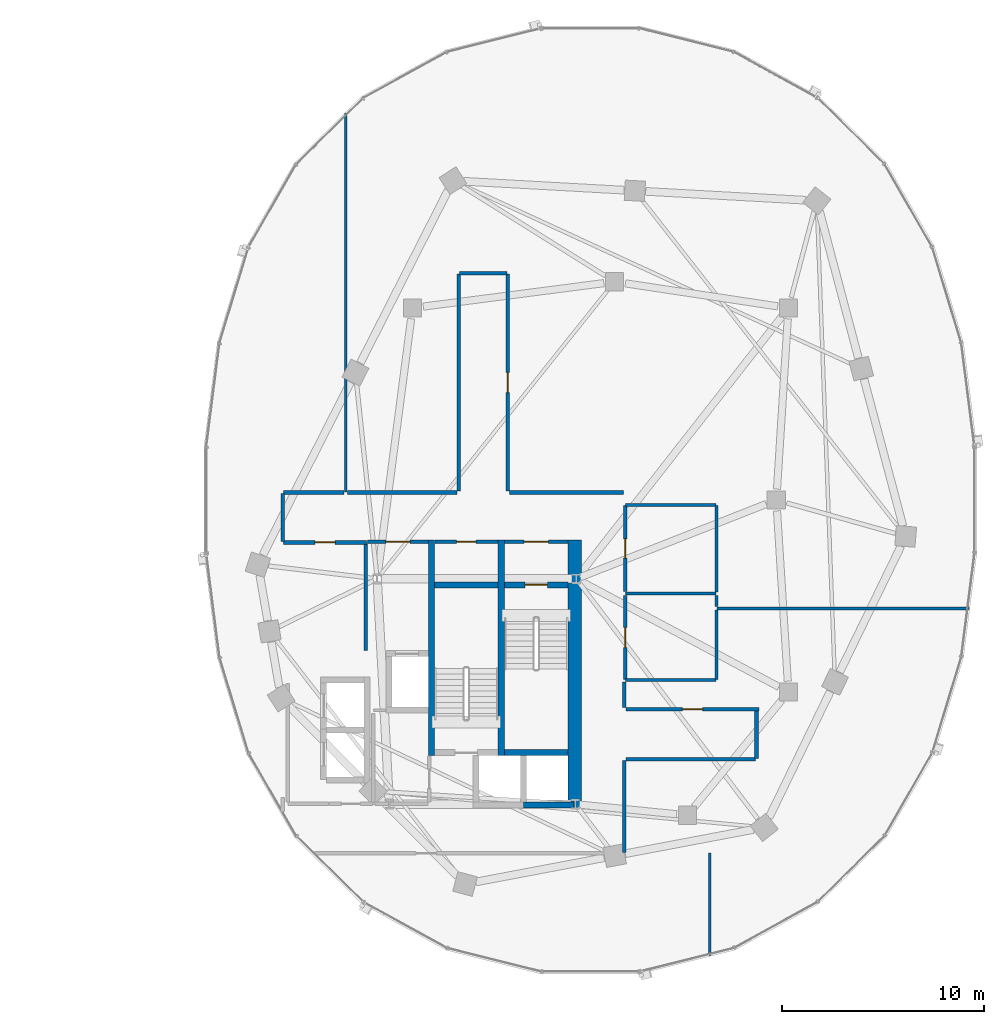
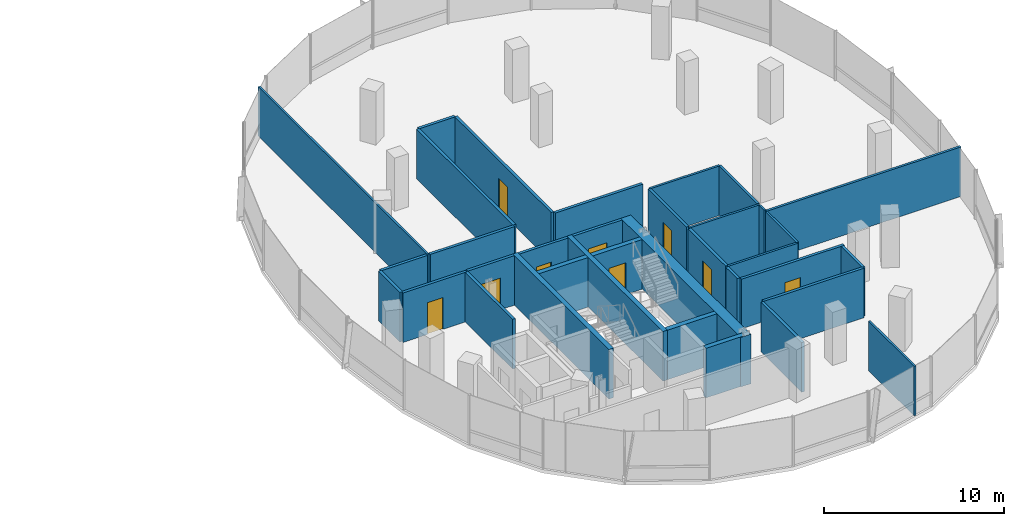
# One storey, part 14 of 22: 35 walls, 9 doors, 9 openings.
"""IFC4 building model written with IfcOpenShell, lengths in metres."""

from ifc_helpers import new_model, si_unit, direction, frame, frame_2d, origin, place, context, subcontext, project, spatial, rectangle, extrude, material, layer, layer_set, type_object, element, fill, save


model = new_model("IFC4")

# Units and contexts
model_context = context("Model", 3, precision=1e-05, world=origin(), true_north=direction((0.0, 1.0)))
body_context = subcontext(model_context, "Body", "Model", "MODEL_VIEW")
ifc_project = project(units=[si_unit("LENGTHUNIT", "METRE"), si_unit("AREAUNIT", "SQUARE_METRE"), si_unit("VOLUMEUNIT", "CUBIC_METRE"), si_unit("PLANEANGLEUNIT", "RADIAN"), si_unit("MASSUNIT", "GRAM", prefix="KILO"), si_unit("THERMODYNAMICTEMPERATUREUNIT", "KELVIN"), si_unit("POWERUNIT", "WATT")], contexts=[model_context])

# Site, building, storey
site_placement = place(None, origin())
site = spatial("IfcSite", under=ifc_project, at=site_placement, CompositionType="ELEMENT")
building_placement = place(site_placement, origin())
building = spatial("IfcBuilding", under=site, at=building_placement, Name="Cundina Bronze Exchange", CompositionType="ELEMENT")
storey_placement = place(building_placement, frame((0.0, 0.0, 136.800048828125)))
storey = spatial("IfcBuildingStorey", under=building, at=storey_placement, Name="L35", CompositionType="ELEMENT", Elevation=136.800048828125)

# Wall
ifc_material_1 = material(Name="Gypsum Fireboard Partition EI120")
ifc_layer_1 = layer(ifc_material_1, 0.179931640625, Name="Gypsum Fireboard Partition EI120")
ifc_layer_set_1 = layer_set([ifc_layer_1], Name="Gypsum Fireboard Partition EI120")
wall_type_1 = type_object("IfcWallType", Name="WL-COR-180", PredefinedType="PARTITIONING", material=ifc_layer_set_1)
wall_1_placement = place(storey_placement, frame((20.889892578125, -7.449951171875, 0.0), z_axis=(0.0, 0.0, 1.0), x_axis=(0.0, 1.0, 0.0)))
element("IfcWall", 1, at=wall_1_placement, inside=storey, type_object=wall_type_1, Name="L35 E Firefighting Lobby Side Wall", PredefinedType="PARTITIONING", context=body_context, shape_type="SweptSolid", body=[
    extrude(rectangle(XDim=5.300048828125, YDim=0.179931640625, at=frame_2d((2.64990234375, 0.0))), origin(), (0.0, 0.0, 1.0), 3.35986328125),
])

# Wall, opening, door
wall_2_placement = place(storey_placement, frame((20.97998046875, -2.06005859375, 0.0), z_axis=(0.0, 0.0, 1.0), x_axis=(1.0, 0.0, 0.0)))
wall_2 = element("IfcWall", 2, at=wall_2_placement, inside=storey, type_object=wall_type_1, Name="L35 E Firefighting Lobby Exit Wall", PredefinedType="PARTITIONING", context=body_context, shape_type="SweptSolid", body=[
    extrude(rectangle(XDim=3.0, YDim=0.179931640625, at=frame_2d((1.5, 0.0))), origin(), (0.0, 0.0, 1.0), 3.35986328125),
])
opening_1_placement = place(wall_2_placement, frame((0.89990234375, 0.0, 0.0)))
opening_1 = element("IfcOpeningElement", 3, at=opening_1_placement, cuts=wall_2, Name="Opening DF-01", PredefinedType="OPENING", context=body_context, shape_type="SweptSolid", body=[
    extrude(rectangle(XDim=1.199951171875, YDim=2.14990234375, at=frame_2d((0.60009765625, 1.074951171875))), frame((0.0, 0.099853515625, 0.0), z_axis=(0.0, -1.0, 0.0), x_axis=(1.0, 0.0, 0.0)), (0.0, 0.0, 1.0), 0.199951171875),
])
ifc_material_2 = material(Name="Steel ASTM A36 Painted", Category="steel")
door_type_1 = type_object("IfcDoorType", Name="DR-FFL-1200", OperationType="NOTDEFINED", PredefinedType="DOOR", material=ifc_material_2)
door_1_placement = place(opening_1_placement, origin())
door_1 = element("IfcDoor", 4, at=door_1_placement, inside=storey, type_object=door_type_1, Name="L35 E Firefighting Lobby Door", OperationType="SINGLE_SWING_LEFT", OverallHeight=2.14990234375, OverallWidth=1.199951171875, PredefinedType="DOOR", context=body_context, shape_type="SweptSolid", body=[
    extrude(rectangle(XDim=1.199951171875, YDim=2.14990234375, at=frame_2d((0.60009765625, 1.074951171875))), frame((0.0, 0.02490234375, 0.0), z_axis=(0.0, -1.0, 0.0), x_axis=(1.0, 0.0, 0.0)), (0.0, 0.0, 1.0), 0.050048828125),
])
fill(opening_1, door_1)

wall_3_placement = place(storey_placement, frame((27.739990234375, -2.06005859375, 0.0), z_axis=(0.0, 0.0, 1.0), x_axis=(1.0, 0.0, 0.0)))
wall_3 = element("IfcWall", 5, at=wall_3_placement, inside=storey, type_object=wall_type_1, Name="L35 E Stair Vestibule Exit Wall", PredefinedType="PARTITIONING", context=body_context, shape_type="SweptSolid", body=[
    extrude(rectangle(XDim=3.159912109375, YDim=0.179931640625, at=frame_2d((1.580078125, 0.0))), origin(), (0.0, 0.0, 1.0), 3.35986328125),
])
opening_2_placement = place(wall_3_placement, frame((0.97998046875, 0.0, 0.0)))
opening_2 = element("IfcOpeningElement", 6, at=opening_2_placement, cuts=wall_3, Name="Opening DF-01", PredefinedType="OPENING", context=body_context, shape_type="SweptSolid", body=[
    extrude(rectangle(XDim=1.199951171875, YDim=2.14990234375, at=frame_2d((0.60009765625, 1.074951171875))), frame((0.0, 0.099853515625, 0.0), z_axis=(0.0, -1.0, 0.0), x_axis=(1.0, 0.0, 0.0)), (0.0, 0.0, 1.0), 0.199951171875),
])
door_2_placement = place(opening_2_placement, origin())
door_2 = element("IfcDoor", 7, at=door_2_placement, inside=storey, type_object=door_type_1, Name="L35 E Stair Vestibule Door", OperationType="SINGLE_SWING_RIGHT", OverallHeight=2.14990234375, OverallWidth=1.199951171875, PredefinedType="DOOR", context=body_context, shape_type="SweptSolid", body=[
    extrude(rectangle(XDim=1.199951171875, YDim=2.14990234375, at=frame_2d((0.60009765625, 1.074951171875))), frame((0.0, 0.02490234375, 0.0), z_axis=(0.0, -1.0, 0.0), x_axis=(1.0, 0.0, 0.0)), (0.0, 0.0, 1.0), 0.050048828125),
])
fill(opening_2, door_2)

wall_4_placement = place(storey_placement, frame((24.300048828125, -2.070068359375, 0.0), z_axis=(0.0, 0.0, 1.0), x_axis=(1.0, 0.0, 0.0)))
wall_4 = element("IfcWall", 8, at=wall_4_placement, inside=storey, type_object=wall_type_1, Name="L35 Interior Partition 044", PredefinedType="PARTITIONING", context=body_context, shape_type="SweptSolid", body=[
    extrude(rectangle(XDim=3.119873046875, YDim=0.179931640625, at=frame_2d((1.56005859375, 0.0))), origin(), (0.0, 0.0, 1.0), 3.35986328125),
])
opening_3_placement = place(wall_4_placement, frame((1.0849609375, 0.0, 0.0)))
opening_3 = element("IfcOpeningElement", 9, at=opening_3_placement, cuts=wall_4, Name="Opening DW-01", PredefinedType="OPENING", context=body_context, shape_type="SweptSolid", body=[
    extrude(rectangle(XDim=0.949951171875, YDim=2.10009765625, at=frame_2d((0.47509765625, 1.050048828125))), frame((0.0, 0.099853515625, 0.0), z_axis=(0.0, -1.0, 0.0), x_axis=(1.0, 0.0, 0.0)), (0.0, 0.0, 1.0), 0.199951171875),
])
ifc_material_3 = material(Name="Solid Andean Oak Timber Grade A", Category="wood")
door_type_2 = type_object("IfcDoorType", Name="DR-WC-950", OperationType="NOTDEFINED", PredefinedType="DOOR", material=ifc_material_3)
door_3_placement = place(opening_3_placement, origin())
door_3 = element("IfcDoor", 10, at=door_3_placement, inside=storey, type_object=door_type_2, Name="L35 Interior Door 044", OperationType="SINGLE_SWING_LEFT", OverallHeight=2.10009765625, OverallWidth=0.949951171875, PredefinedType="DOOR", context=body_context, shape_type="SweptSolid", body=[
    extrude(rectangle(XDim=0.949951171875, YDim=2.10009765625, at=frame_2d((0.47509765625, 1.050048828125))), frame((0.0, 0.02490234375, 0.0), z_axis=(0.0, -1.0, 0.0), x_axis=(1.0, 0.0, 0.0)), (0.0, 0.0, 1.0), 0.050048828125),
])
fill(opening_3, door_3)

wall_5_placement = place(storey_placement, frame((33.719970703125, -4.530029296875, 0.0), z_axis=(0.0, 0.0, 1.0), x_axis=(0.0, 1.0, 0.0)))
wall_5 = element("IfcWall", 11, at=wall_5_placement, inside=storey, type_object=wall_type_1, Name="L35 Interior Partition 052", PredefinedType="PARTITIONING", context=body_context, shape_type="SweptSolid", body=[
    extrude(rectangle(XDim=4.260009765625, YDim=0.179931640625, at=frame_2d((2.1298828125, 0.0))), origin(), (0.0, 0.0, 1.0), 3.35986328125),
])
opening_4_placement = place(wall_5_placement, frame((1.655029296875, 0.0, 0.0)))
opening_4 = element("IfcOpeningElement", 12, at=opening_4_placement, cuts=wall_5, Name="Opening DW-01", PredefinedType="OPENING", context=body_context, shape_type="SweptSolid", body=[
    extrude(rectangle(XDim=0.949951171875, YDim=2.10009765625, at=frame_2d((0.47509765625, 1.050048828125))), frame((0.0, 0.099853515625, 0.0), z_axis=(0.0, -1.0, 0.0), x_axis=(1.0, 0.0, 0.0)), (0.0, 0.0, 1.0), 0.199951171875),
])
door_4_placement = place(opening_4_placement, origin())
door_4 = element("IfcDoor", 13, at=door_4_placement, inside=storey, type_object=door_type_2, Name="L35 Interior Door 052", OperationType="SINGLE_SWING_RIGHT", OverallHeight=2.10009765625, OverallWidth=0.949951171875, PredefinedType="DOOR", context=body_context, shape_type="SweptSolid", body=[
    extrude(rectangle(XDim=0.949951171875, YDim=2.10009765625, at=frame_2d((0.47509765625, 1.050048828125))), frame((0.0, 0.02490234375, 0.0), z_axis=(0.0, -1.0, 0.0), x_axis=(1.0, 0.0, 0.0)), (0.0, 0.0, 1.0), 0.050048828125),
])
fill(opening_4, door_4)

wall_6_placement = place(storey_placement, frame((33.719970703125, -8.889892578125, 0.0), z_axis=(0.0, 0.0, 1.0), x_axis=(0.0, 1.0, 0.0)))
wall_6 = element("IfcWall", 14, at=wall_6_placement, inside=storey, type_object=wall_type_1, Name="L35 Interior Partition 053", PredefinedType="PARTITIONING", context=body_context, shape_type="SweptSolid", body=[
    extrude(rectangle(XDim=4.159912109375, YDim=0.179931640625, at=frame_2d((2.080078125, 0.0))), origin(), (0.0, 0.0, 1.0), 3.35986328125),
])
opening_5_placement = place(wall_6_placement, frame((1.580078125, 0.0, 0.0)))
opening_5 = element("IfcOpeningElement", 15, at=opening_5_placement, cuts=wall_6, Name="Opening DO-01", PredefinedType="OPENING", context=body_context, shape_type="SweptSolid", body=[
    extrude(rectangle(XDim=1.0, YDim=2.14990234375, at=frame_2d((0.5, 1.074951171875))), frame((0.0, 0.099853515625, 0.0), z_axis=(0.0, -1.0, 0.0), x_axis=(1.0, 0.0, 0.0)), (0.0, 0.0, 1.0), 0.199951171875),
])
door_type_3 = type_object("IfcDoorType", Name="DR-OFF-1000", OperationType="NOTDEFINED", PredefinedType="DOOR", material=ifc_material_3)
door_5_placement = place(opening_5_placement, origin())
door_5 = element("IfcDoor", 16, at=door_5_placement, inside=storey, type_object=door_type_3, Name="L35 Interior Door 053", OperationType="SINGLE_SWING_RIGHT", OverallHeight=2.14990234375, OverallWidth=1.0, PredefinedType="DOOR", context=body_context, shape_type="SweptSolid", body=[
    extrude(rectangle(XDim=1.0, YDim=2.14990234375, at=frame_2d((0.5, 1.074951171875))), frame((0.0, 0.02490234375, 0.0), z_axis=(0.0, -1.0, 0.0), x_axis=(1.0, 0.0, 0.0)), (0.0, 0.0, 1.0), 0.050048828125),
])
fill(opening_5, door_5)

# Walls
wall_7_placement = place(storey_placement, frame((33.75, -12.820068359375, 0.0), z_axis=(0.0, 0.0, 1.0), x_axis=(1.0, 0.0, 0.0)))
element("IfcWall", 17, at=wall_7_placement, inside=storey, type_object=wall_type_1, Name="L35 Interior Partition 058", PredefinedType="PARTITIONING", context=body_context, shape_type="SweptSolid", body=[
    extrude(rectangle(XDim=6.428466796875, YDim=0.179931640625, at=frame_2d((3.21435546875, 0.0))), origin(), (0.0, 0.0, 1.0), 3.35986328125),
])
wall_8_placement = place(storey_placement, frame((33.669921875, -17.428466796875, 0.0), z_axis=(0.0, 0.0, 1.0), x_axis=(0.0, 1.0, 0.0)))
element("IfcWall", 18, at=wall_8_placement, inside=storey, type_object=wall_type_1, Name="L35 Interior Partition 059", PredefinedType="PARTITIONING", context=body_context, shape_type="SweptSolid", body=[
    extrude(rectangle(XDim=4.528564453125, YDim=0.179931640625, at=frame_2d((2.26416015625, 0.0))), origin(), (0.0, 0.0, 1.0), 3.35986328125),
])
wall_9_placement = place(storey_placement, frame((40.219970703125, -12.778564453125, 0.0), z_axis=(0.0, 0.0, 1.0), x_axis=(0.0, 1.0, 0.0)))
element("IfcWall", 19, at=wall_9_placement, inside=storey, type_object=wall_type_1, Name="L35 Interior Partition 060", PredefinedType="PARTITIONING", context=body_context, shape_type="SweptSolid", body=[
    extrude(rectangle(XDim=2.32861328125, YDim=0.179931640625, at=frame_2d((1.164306640625, 0.0))), origin(), (0.0, 0.0, 1.0), 3.35986328125),
])

# Wall, opening, door
wall_10_placement = place(storey_placement, frame((40.352783203125, -10.35009765625, 0.0), z_axis=(0.0, 0.0, 1.0), x_axis=(-1.0, 0.0, 0.0)))
wall_10 = element("IfcWall", 20, at=wall_10_placement, inside=storey, type_object=wall_type_1, Name="L35 Interior Partition 061", PredefinedType="PARTITIONING", context=body_context, shape_type="SweptSolid", body=[
    extrude(rectangle(XDim=6.602783203125, YDim=0.179931640625, at=frame_2d((3.30126953125, 0.0))), origin(), (0.0, 0.0, 1.0), 3.35986328125),
])
opening_6_placement = place(wall_10_placement, frame((2.801513671875, 0.0, 0.0)))
opening_6 = element("IfcOpeningElement", 21, at=opening_6_placement, cuts=wall_10, Name="Opening DO-01", PredefinedType="OPENING", context=body_context, shape_type="SweptSolid", body=[
    extrude(rectangle(XDim=1.0, YDim=2.14990234375, at=frame_2d((0.5, 1.074951171875))), frame((0.0, 0.099853515625, 0.0), z_axis=(0.0, -1.0, 0.0), x_axis=(1.0, 0.0, 0.0)), (0.0, 0.0, 1.0), 0.199951171875),
])
door_6_placement = place(opening_6_placement, origin())
door_6 = element("IfcDoor", 22, at=door_6_placement, inside=storey, type_object=door_type_3, Name="L35 Interior Door 061", OperationType="SINGLE_SWING_RIGHT", OverallHeight=2.14990234375, OverallWidth=1.0, PredefinedType="DOOR", context=body_context, shape_type="SweptSolid", body=[
    extrude(rectangle(XDim=1.0, YDim=2.14990234375, at=frame_2d((0.5, 1.074951171875))), frame((0.0, 0.02490234375, 0.0), z_axis=(0.0, -1.0, 0.0), x_axis=(1.0, 0.0, 0.0)), (0.0, 0.0, 1.0), 0.050048828125),
])
fill(opening_6, door_6)

# Wall
wall_11_placement = place(storey_placement, frame((33.669921875, -10.27001953125, 0.0), z_axis=(0.0, 0.0, 1.0), x_axis=(0.0, 1.0, 0.0)))
element("IfcWall", 23, at=wall_11_placement, inside=storey, type_object=wall_type_1, Name="L35 Interior Partition 062", PredefinedType="PARTITIONING", context=body_context, shape_type="SweptSolid", body=[
    extrude(rectangle(XDim=1.2685546875, YDim=0.179931640625, at=frame_2d((0.63427734375, 0.0))), origin(), (0.0, 0.0, 1.0), 3.35986328125),
])

# Wall, opening, door
wall_12_placement = place(storey_placement, frame((16.821533203125, -2.10009765625, 0.0), z_axis=(0.0, 0.0, 1.0), x_axis=(1.0, 0.0, 0.0)))
wall_12 = element("IfcWall", 24, at=wall_12_placement, inside=storey, type_object=wall_type_1, Name="L35 Interior Partition 063", PredefinedType="PARTITIONING", context=body_context, shape_type="SweptSolid", body=[
    extrude(rectangle(XDim=4.098388671875, YDim=0.179931640625, at=frame_2d((2.04931640625, 0.0))), origin(), (0.0, 0.0, 1.0), 3.35986328125),
])
opening_7_placement = place(wall_12_placement, frame((1.54931640625, 0.0, 0.0)))
opening_7 = element("IfcOpeningElement", 25, at=opening_7_placement, cuts=wall_12, Name="Opening DO-01", PredefinedType="OPENING", context=body_context, shape_type="SweptSolid", body=[
    extrude(rectangle(XDim=1.0, YDim=2.14990234375, at=frame_2d((0.5, 1.074951171875))), frame((0.0, 0.099853515625, 0.0), z_axis=(0.0, -1.0, 0.0), x_axis=(1.0, 0.0, 0.0)), (0.0, 0.0, 1.0), 0.199951171875),
])
door_7_placement = place(opening_7_placement, origin())
door_7 = element("IfcDoor", 26, at=door_7_placement, inside=storey, type_object=door_type_3, Name="L35 Interior Door 063", OperationType="SINGLE_SWING_LEFT", OverallHeight=2.14990234375, OverallWidth=1.0, PredefinedType="DOOR", context=body_context, shape_type="SweptSolid", body=[
    extrude(rectangle(XDim=1.0, YDim=2.14990234375, at=frame_2d((0.5, 1.074951171875))), frame((0.0, 0.02490234375, 0.0), z_axis=(0.0, -1.0, 0.0), x_axis=(1.0, 0.0, 0.0)), (0.0, 0.0, 1.0), 0.050048828125),
])
fill(opening_7, door_7)

# Walls
wall_13_placement = place(storey_placement, frame((19.81005859375, 0.3701171875, 0.0), z_axis=(0.0, 0.0, 1.0), x_axis=(-1.0, 0.0, 0.0)))
element("IfcWall", 27, at=wall_13_placement, inside=storey, type_object=wall_type_1, Name="L35 Interior Partition 064", PredefinedType="PARTITIONING", context=body_context, shape_type="SweptSolid", body=[
    extrude(rectangle(XDim=2.988525390625, YDim=0.179931640625, at=frame_2d((1.494140625, 0.0))), origin(), (0.0, 0.0, 1.0), 3.35986328125),
])
wall_14_placement = place(storey_placement, frame((16.780029296875, 0.32861328125, 0.0), z_axis=(0.0, 0.0, 1.0), x_axis=(0.0, -1.0, 0.0)))
element("IfcWall", 28, at=wall_14_placement, inside=storey, type_object=wall_type_1, Name="L35 Interior Partition 065", PredefinedType="PARTITIONING", context=body_context, shape_type="SweptSolid", body=[
    extrude(rectangle(XDim=2.38720703125, YDim=0.179931640625, at=frame_2d((1.193603515625, 0.0))), origin(), (0.0, 0.0, 1.0), 3.35986328125),
])

# Wall, opening, door
wall_15_placement = place(storey_placement, frame((27.919921875, 0.449951171875, 0.0), z_axis=(0.0, 0.0, 1.0), x_axis=(0.0, 1.0, 0.0)))
wall_15 = element("IfcWall", 29, at=wall_15_placement, inside=storey, type_object=wall_type_1, Name="L35 Interior Partition 067", PredefinedType="PARTITIONING", context=body_context, shape_type="SweptSolid", body=[
    extrude(rectangle(XDim=10.728515625, YDim=0.179931640625, at=frame_2d((5.3642578125, 0.0))), origin(), (0.0, 0.0, 1.0), 3.35986328125),
])
opening_8_placement = place(wall_15_placement, frame((4.8642578125, 0.0, 0.0)))
opening_8 = element("IfcOpeningElement", 30, at=opening_8_placement, cuts=wall_15, Name="Opening DO-01", PredefinedType="OPENING", context=body_context, shape_type="SweptSolid", body=[
    extrude(rectangle(XDim=1.0, YDim=2.14990234375, at=frame_2d((0.5, 1.074951171875))), frame((0.0, 0.099853515625, 0.0), z_axis=(0.0, -1.0, 0.0), x_axis=(1.0, 0.0, 0.0)), (0.0, 0.0, 1.0), 0.199951171875),
])
door_8_placement = place(opening_8_placement, origin())
door_8 = element("IfcDoor", 31, at=door_8_placement, inside=storey, type_object=door_type_3, Name="L35 Interior Door 067", OperationType="SINGLE_SWING_LEFT", OverallHeight=2.14990234375, OverallWidth=1.0, PredefinedType="DOOR", context=body_context, shape_type="SweptSolid", body=[
    extrude(rectangle(XDim=1.0, YDim=2.14990234375, at=frame_2d((0.5, 1.074951171875))), frame((0.0, 0.02490234375, 0.0), z_axis=(0.0, -1.0, 0.0), x_axis=(1.0, 0.0, 0.0)), (0.0, 0.0, 1.0), 0.050048828125),
])
fill(opening_8, door_8)

# Walls
wall_16_placement = place(storey_placement, frame((25.47998046875, 11.178466796875, 0.0), z_axis=(0.0, 0.0, 1.0), x_axis=(0.0, -1.0, 0.0)))
element("IfcWall", 32, at=wall_16_placement, inside=storey, type_object=wall_type_1, Name="L35 Interior Partition 068", PredefinedType="PARTITIONING", context=body_context, shape_type="SweptSolid", body=[
    extrude(rectangle(XDim=10.728515625, YDim=0.179931640625, at=frame_2d((5.3642578125, 0.0))), origin(), (0.0, 0.0, 1.0), 3.35986328125),
])
wall_17_placement = place(storey_placement, frame((33.62841796875, 0.3701171875, 0.0), z_axis=(0.0, 0.0, 1.0), x_axis=(-1.0, 0.0, 0.0)))
element("IfcWall", 33, at=wall_17_placement, inside=storey, type_object=wall_type_1, Name="L35 Interior Partition 069", PredefinedType="PARTITIONING", context=body_context, shape_type="SweptSolid", body=[
    extrude(rectangle(XDim=5.62841796875, YDim=0.179931640625, at=frame_2d((2.814208984375, 0.0))), origin(), (0.0, 0.0, 1.0), 3.35986328125),
])
wall_18_placement = place(storey_placement, frame((25.39990234375, 0.3701171875, 0.0), z_axis=(0.0, 0.0, 1.0), x_axis=(-1.0, 0.0, 0.0)))
element("IfcWall", 34, at=wall_18_placement, inside=storey, type_object=wall_type_1, Name="L35 Interior Partition 070", PredefinedType="PARTITIONING", context=body_context, shape_type="SweptSolid", body=[
    extrude(rectangle(XDim=5.409912109375, YDim=0.179931640625, at=frame_2d((2.705078125, 0.0))), origin(), (0.0, 0.0, 1.0), 3.35986328125),
])
wall_19_placement = place(storey_placement, frame((27.87841796875, 11.219970703125, 0.0), z_axis=(0.0, 0.0, 1.0), x_axis=(-1.0, 0.0, 0.0)))
element("IfcWall", 35, at=wall_19_placement, inside=storey, type_object=wall_type_1, Name="L35 Interior Partition 071", PredefinedType="PARTITIONING", context=body_context, shape_type="SweptSolid", body=[
    extrude(rectangle(XDim=2.35693359375, YDim=0.179931640625, at=frame_2d((1.178466796875, 0.0))), origin(), (0.0, 0.0, 1.0), 3.35986328125),
])
ifc_material_4 = material(Name="Concrete C50/60", Category="concrete")
ifc_layer_2 = layer(ifc_material_4, 0.64990234375, Name="Concrete C50/60", Category="concrete")
ifc_layer_set_2 = layer_set([ifc_layer_2], Name="Concrete C50/60")
wall_type_2 = type_object("IfcWallType", Name="WL-CORE-650", PredefinedType="SHEAR", material=ifc_layer_set_2)
wall_20_placement = place(storey_placement, frame((31.22509765625, -15.300048828125, 0.0), z_axis=(0.0, 0.0, 1.0), x_axis=(0.0, 1.0, 0.0)))
element("IfcWall", 36, at=wall_20_placement, inside=storey, type_object=wall_type_2, Name="L35 E Primary Core Shear Spine Wall", PredefinedType="SHEAR", context=body_context, shape_type="SweptSolid", body=[
    extrude(rectangle(XDim=13.330078125, YDim=0.64990234375, at=frame_2d((6.6650390625, 0.0))), origin(), (0.0, 0.0, 1.0), 3.35986328125),
])
ifc_material_5 = material(Name="Gypsum Acoustic Partition EI60")
ifc_layer_3 = layer(ifc_material_5, 0.125, Name="Gypsum Acoustic Partition EI60")
ifc_layer_set_3 = layer_set([ifc_layer_3], Name="Gypsum Acoustic Partition EI60")
wall_type_3 = type_object("IfcWallType", Name="WL-OFF-125", PredefinedType="PARTITIONING", material=ifc_layer_set_3)
wall_21_placement = place(storey_placement, frame((19.89990234375, 0.39990234375, 0.0), z_axis=(0.0, 0.0, 1.0), x_axis=(0.0, 1.0, 0.0)))
element("IfcWall", 37, at=wall_21_placement, inside=storey, type_object=wall_type_3, Name="L35 Interior Partition 054", PredefinedType="PARTITIONING", context=body_context, shape_type="SweptSolid", body=[
    extrude(rectangle(XDim=18.73681640625, YDim=0.125, at=frame_2d((9.368408203125, 0.0))), origin(), (0.0, 0.0, 1.0), 3.35986328125),
])
wall_22_placement = place(storey_placement, frame((37.89990234375, -22.5361328125, 0.0), z_axis=(0.0, 0.0, 1.0), x_axis=(0.0, 1.0, 0.0)))
element("IfcWall", 38, at=wall_22_placement, inside=storey, type_object=wall_type_3, Name="L35 Interior Partition 056", PredefinedType="PARTITIONING", context=body_context, shape_type="SweptSolid", body=[
    extrude(rectangle(XDim=5.066162109375, YDim=0.125, at=frame_2d((2.533203125, 0.0))), origin(), (0.0, 0.0, 1.0), 3.35986328125),
])
ifc_layer_4 = layer(ifc_material_4, 0.300048828125, Name="Concrete C50/60", Category="concrete")
ifc_layer_set_4 = layer_set([ifc_layer_4], Name="Concrete C50/60")
wall_type_4 = type_object("IfcWallType", Name="WL-SHFT-300", PredefinedType="SHEAR", material=ifc_layer_set_4)
for number, where, z_axis, x_axis, name in (
    (39, (27.590087890625, -12.64990234375, 0.0), (0.0, 0.0, 1.0), (0.0, 1.0, 0.0), "L35 E Stair Shaft Dividing Shear Wall"),
    (40, (24.1298828125, -12.64990234375, 0.0), (0.0, 0.0, 1.0), (0.0, 1.0, 0.0), "L35 E Stair 2 East Shear Wall"),
):
    element("IfcWall", number, at=place(storey_placement, frame(where, z_axis=z_axis, x_axis=x_axis)), inside=storey, type_object=wall_type_4, Name=name, PredefinedType="SHEAR", context=body_context, shape_type="SweptSolid", body=[
        extrude(rectangle(XDim=10.679931640625, YDim=0.300048828125, at=frame_2d((5.33984375, 0.0))), origin(), (0.0, 0.0, 1.0), 3.35986328125),
    ])

# Wall, opening, door
wall_23_placement = place(storey_placement, frame((27.739990234375, -4.199951171875, 0.0), z_axis=(0.0, 0.0, 1.0), x_axis=(1.0, 0.0, 0.0)))
wall_23 = element("IfcWall", 41, at=wall_23_placement, inside=storey, type_object=wall_type_4, Name="L35 Stair E1 Landing Wall", PredefinedType="SHEAR", context=body_context, shape_type="SweptSolid", body=[
    extrude(rectangle(XDim=3.159912109375, YDim=0.300048828125, at=frame_2d((1.580078125, 0.0))), origin(), (0.0, 0.0, 1.0), 3.35986328125),
])
opening_9_placement = place(wall_23_placement, frame((1.030029296875, 0.0, 0.0)))
opening_9 = element("IfcOpeningElement", 42, at=opening_9_placement, cuts=wall_23, Name="Opening DS-01", PredefinedType="OPENING", context=body_context, shape_type="SweptSolid", body=[
    extrude(rectangle(XDim=1.10009765625, YDim=2.14990234375, at=frame_2d((0.550048828125, 1.074951171875))), frame((0.0, 0.159912109375, 0.0), z_axis=(0.0, -1.0, 0.0), x_axis=(1.0, 0.0, 0.0)), (0.0, 0.0, 1.0), 0.320068359375),
])
door_type_4 = type_object("IfcDoorType", Name="DR-STR-1100", OperationType="NOTDEFINED", PredefinedType="DOOR", material=ifc_material_2)
door_9_placement = place(opening_9_placement, origin())
door_9 = element("IfcDoor", 43, at=door_9_placement, inside=storey, type_object=door_type_4, Name="L35 Smokeproof Stair E1 Door", OperationType="SINGLE_SWING_LEFT", OverallHeight=2.14990234375, OverallWidth=1.10009765625, PredefinedType="DOOR", context=body_context, shape_type="SweptSolid", body=[
    extrude(rectangle(XDim=1.10009765625, YDim=2.14990234375, at=frame_2d((0.550048828125, 1.074951171875))), frame((0.0, 0.02490234375, 0.0), z_axis=(0.0, -1.0, 0.0), x_axis=(1.0, 0.0, 0.0)), (0.0, 0.0, 1.0), 0.050048828125),
])
fill(opening_9, door_9)

# Walls
for number, where, z_axis, x_axis, name in (
    (44, (27.739990234375, -12.5, 0.0), (0.0, 0.0, 1.0), (1.0, 0.0, 0.0), "L35 Stair E1 Far Shaft Wall"),
    (45, (24.280029296875, -4.199951171875, 0.0), (0.0, 0.0, 1.0), (1.0, 0.0, 0.0), "L35 Stair E2 Far Shaft Wall"),
):
    element("IfcWall", number, at=place(storey_placement, frame(where, z_axis=z_axis, x_axis=x_axis)), inside=storey, type_object=wall_type_4, Name=name, PredefinedType="SHEAR", context=body_context, shape_type="SweptSolid", body=[
        extrude(rectangle(XDim=3.159912109375, YDim=0.300048828125, at=frame_2d((1.580078125, 0.0))), origin(), (0.0, 0.0, 1.0), 3.35986328125),
    ])
wall_24_placement = place(storey_placement, frame((28.699951171875, -15.10009765625, 0.0), z_axis=(0.0, 0.0, 1.0), x_axis=(1.0, 0.0, 0.0)))
element("IfcWall", 46, at=wall_24_placement, inside=storey, type_object=wall_type_4, Name="L35 PH-E1 Hoistway Front Wall", PredefinedType="SHEAR", context=body_context, shape_type="SweptSolid", body=[
    extrude(rectangle(XDim=2.5, YDim=0.300048828125, at=frame_2d((1.25, 0.0))), origin(), (0.0, 0.0, 1.0), 3.35986328125),
])
ifc_layer_5 = layer(ifc_material_5, 0.14990234375, Name="Gypsum Acoustic Partition EI60")
ifc_layer_set_5 = layer_set([ifc_layer_5], Name="Gypsum Acoustic Partition EI60")
wall_type_5 = type_object("IfcWallType", Name="WL-TEN-150", PredefinedType="PARTITIONING", material=ifc_layer_set_5)
wall_25_placement = place(storey_placement, frame((38.27001953125, -5.360107421875, 0.0), z_axis=(0.0, 0.0, 1.0), x_axis=(1.0, 0.0, 0.0)))
element("IfcWall", 47, at=wall_25_placement, inside=storey, type_object=wall_type_5, Name="L35 Interior Partition 055", PredefinedType="PARTITIONING", context=body_context, shape_type="SweptSolid", body=[
    extrude(rectangle(XDim=12.455078125, YDim=0.14990234375, at=frame_2d((6.2275390625, 0.0))), origin(), (0.0, 0.0, 1.0), 3.35986328125),
])
ifc_material_6 = material(Name="Moisture-Resistant Masonry Block Grade M15", Category="masonry")
ifc_layer_6 = layer(ifc_material_6, 0.139892578125, Name="Moisture-Resistant Masonry Block Grade M15", Category="masonry")
ifc_layer_set_6 = layer_set([ifc_layer_6], Name="Moisture-Resistant Masonry Block Grade M15")
wall_type_6 = type_object("IfcWallType", Name="WL-WET-140", PredefinedType="PARTITIONING", material=ifc_layer_set_6)
wall_26_placement = place(storey_placement, frame((38.239990234375, -8.889892578125, 0.0), z_axis=(0.0, 0.0, 1.0), x_axis=(0.0, 1.0, 0.0)))
element("IfcWall", 48, at=wall_26_placement, inside=storey, type_object=wall_type_6, Name="L35 Interior Partition 046", PredefinedType="PARTITIONING", context=body_context, shape_type="SweptSolid", body=[
    extrude(rectangle(XDim=3.44482421875, YDim=0.139892578125, at=frame_2d((1.722412109375, 0.0))), origin(), (0.0, 0.0, 1.0), 3.35986328125),
])
wall_27_placement = place(storey_placement, frame((38.239990234375, -5.27490234375, 0.0), z_axis=(0.0, 0.0, 1.0), x_axis=(0.0, 1.0, 0.0)))
element("IfcWall", 49, at=wall_27_placement, inside=storey, type_object=wall_type_6, Name="L35 Interior Partition 047", PredefinedType="PARTITIONING", context=body_context, shape_type="SweptSolid", body=[
    extrude(rectangle(XDim=0.559814453125, YDim=0.139892578125, at=frame_2d((0.27978515625, 0.0))), origin(), (0.0, 0.0, 1.0), 3.35986328125),
])
wall_28_placement = place(storey_placement, frame((38.239990234375, -4.544921875, 0.0), z_axis=(0.0, 0.0, 1.0), x_axis=(0.0, 1.0, 0.0)))
element("IfcWall", 50, at=wall_28_placement, inside=storey, type_object=wall_type_6, Name="L35 Interior Partition 048", PredefinedType="PARTITIONING", context=body_context, shape_type="SweptSolid", body=[
    extrude(rectangle(XDim=4.27490234375, YDim=0.139892578125, at=frame_2d((2.137451171875, 0.0))), origin(), (0.0, 0.0, 1.0), 3.35986328125),
])
for number, where, z_axis, x_axis, name in (
    (51, (33.739990234375, -0.25, 0.0), (0.0, 0.0, 1.0), (1.0, 0.0, 0.0), "L35 Interior Partition 049"),
    (52, (33.739990234375, -4.6298828125, 0.0), (0.0, 0.0, 1.0), (1.0, 0.0, 0.0), "L35 Interior Partition 050"),
    (53, (33.739990234375, -8.909912109375, 0.0), (0.0, 0.0, 1.0), (1.0, 0.0, 0.0), "L35 Interior Partition 051"),
):
    element("IfcWall", number, at=place(storey_placement, frame(where, z_axis=z_axis, x_axis=x_axis)), inside=storey, type_object=wall_type_6, Name=name, PredefinedType="PARTITIONING", context=body_context, shape_type="SweptSolid", body=[
        extrude(rectangle(XDim=4.47998046875, YDim=0.139892578125, at=frame_2d((2.239990234375, 0.0))), origin(), (0.0, 0.0, 1.0), 3.35986328125),
    ])

save(model, "model.ifc")
